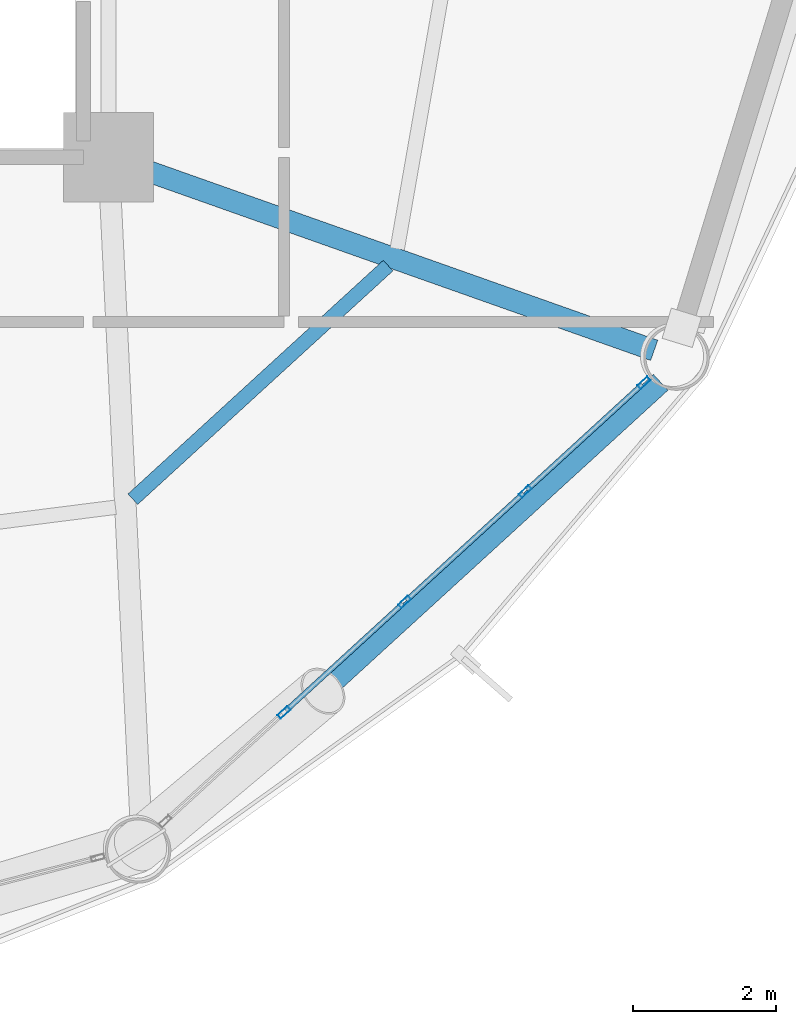
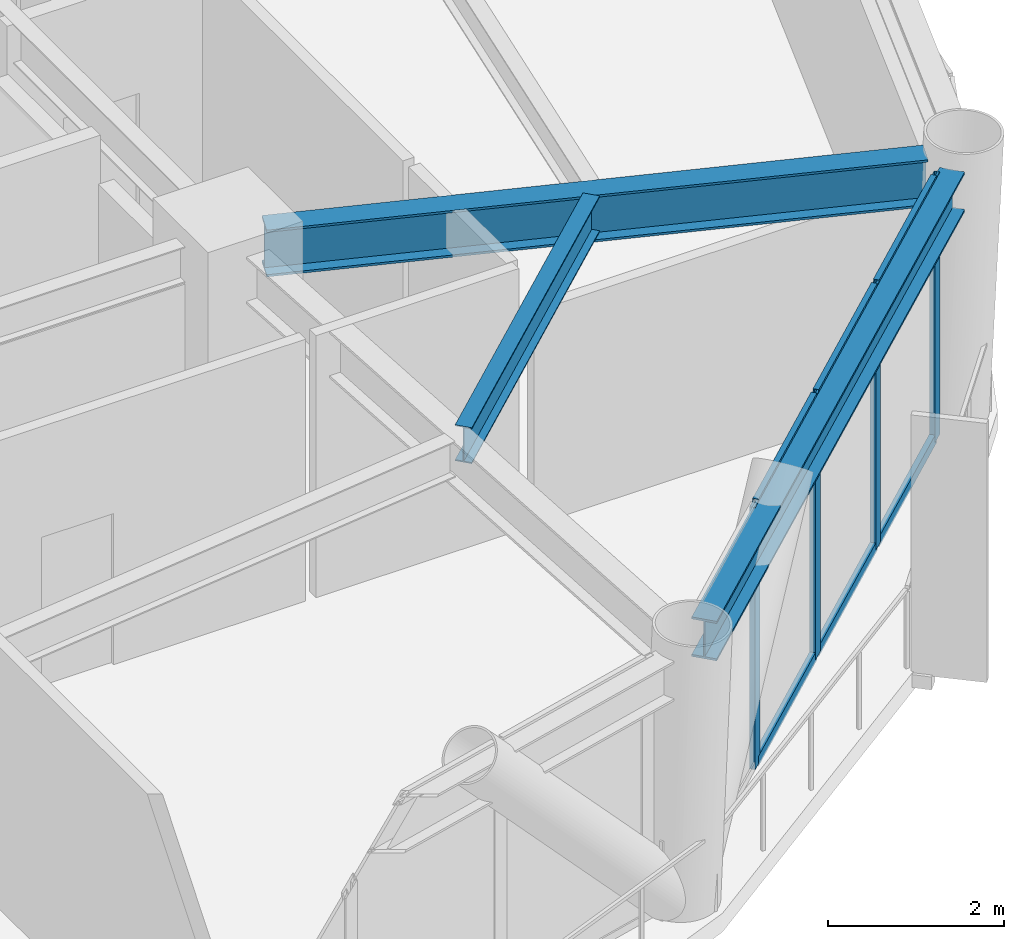
# One storey, part 14 of 25: 10 members, 3 beams, 1 element without a shape of its own.
"""IFC4 building model written with IfcOpenShell, lengths in metres."""

import ifcopenshell
import ifcopenshell.guid

model = None  # the IFC model being written
_history = None  # IfcOwnerHistory: only IFC2X3 demands one
_inside = {}  # id of a spatial element -> (the spatial element, [elements in it])
_under = {}  # id of a project, library or spatial element -> (it, [spatial elements below it])
_declared = {}  # id of a project -> (the project, [libraries it declares])
_typed = {}  # id of a type object -> (the type object, [elements of that type])
_made_of = {}  # id of a material, layer set ... -> (it, [elements and type objects made of it])


def new_model(schema):
    """Start an empty IFC model of exactly this schema.

    Asked for "IFC4X3", IfcOpenShell would pick the latest addendum, in which some entities
    have other attributes; the version numbers below select the first issue.
    IFC2X3 requires an IfcOwnerHistory on every rooted entity: one is made here for all.
    """
    global model, _history
    if schema == "IFC4X3":
        model = ifcopenshell.file(schema_version=(4, 3, 0, 0))
    else:
        model = ifcopenshell.file(schema=schema)
    _inside.clear()
    _under.clear()
    _declared.clear()
    _typed.clear()
    _made_of.clear()
    _history = None
    if model.schema == "IFC2X3":
        org = make("IfcOrganization", Name="unknown")
        user = make(
            "IfcPersonAndOrganization",
            ThePerson=make("IfcPerson", FamilyName="unknown"),
            TheOrganization=org,
        )
        app = make(
            "IfcApplication",
            ApplicationDeveloper=org,
            Version="unknown",
            ApplicationFullName="unknown",
            ApplicationIdentifier="unknown",
        )
        _history = make(
            "IfcOwnerHistory",
            OwningUser=user,
            OwningApplication=app,
            ChangeAction="ADDED",
            CreationDate=0,
        )
    return model


def make(cls, **values):
    """One entity of the class cls with the attributes given. An attribute that is None is left unset."""
    return model.create_entity(
        cls, **{name: value for name, value in values.items() if value is not None}
    )


def rooted(cls, **values):
    """An entity with a GlobalId (a new one), such as an element, a storey or a relation."""
    return make(cls, GlobalId=ifcopenshell.guid.new(), OwnerHistory=_history, **values)


def si_unit(unit_type, name, prefix=None):
    """IfcSIUnit, for example si_unit("LENGTHUNIT", "METRE", prefix="MILLI")."""
    return make("IfcSIUnit", UnitType=unit_type, Prefix=prefix, Name=name)


def assignment(units):
    """IfcUnitAssignment: the units of a project."""
    return None if units is None else make("IfcUnitAssignment", Units=units)


def point(xyz):
    """IfcCartesianPoint."""
    return None if xyz is None else make("IfcCartesianPoint", Coordinates=xyz)


def direction(xyz):
    """IfcDirection."""
    return None if xyz is None else make("IfcDirection", DirectionRatios=xyz)


def frame(location, z_axis=None, x_axis=None):
    """IfcAxis2Placement3D, a coordinate frame: its origin and axes. An axis left out is left unset."""
    return make(
        "IfcAxis2Placement3D",
        Location=point(location),
        Axis=direction(z_axis),
        RefDirection=direction(x_axis),
    )


def frame_2d(location, x_axis=None):
    """IfcAxis2Placement2D, a coordinate frame in the plane: its origin and x axis."""
    return make(
        "IfcAxis2Placement2D", Location=point(location), RefDirection=direction(x_axis)
    )


def origin():
    """The frame at (0, 0, 0) with its axes left unset."""
    return frame((0.0, 0.0, 0.0))


def origin_2d():
    """The frame at (0, 0) in the plane with its x axis left unset."""
    return frame_2d((0.0, 0.0))


def place(relative_to, where):
    """IfcLocalPlacement: puts the frame where relative to a parent placement (None: the world)."""
    return make(
        "IfcLocalPlacement", PlacementRelTo=relative_to, RelativePlacement=where
    )


def context(
    kind, dimensions, precision=None, world=None, true_north=None, identifier=None
):
    """IfcGeometricRepresentationContext, for example the 3D "Model" context."""
    return make(
        "IfcGeometricRepresentationContext",
        ContextIdentifier=identifier,
        ContextType=kind,
        CoordinateSpaceDimension=dimensions,
        Precision=precision,
        WorldCoordinateSystem=world,
        TrueNorth=true_north,
    )


def subcontext(parent, identifier, kind, view, scale=None):
    """IfcGeometricRepresentationSubContext, for example "Body" below "Model"."""
    return make(
        "IfcGeometricRepresentationSubContext",
        ContextIdentifier=identifier,
        ContextType=kind,
        ParentContext=parent,
        TargetScale=scale,
        TargetView=view,
    )


def project(units=None, contexts=None):
    """IfcProject with its units and contexts."""
    return rooted(
        "IfcProject",
        Name="project",
        RepresentationContexts=contexts,
        UnitsInContext=assignment(units),
    )


def spatial(cls, under=None, at=None, **own):
    """A site, building, storey or space (cls), placed at a placement, below another one or the project."""
    s = rooted(cls, ObjectPlacement=at, **own)
    if under is not None:
        _under.setdefault(under.id(), (under, []))[1].append(s)
    return s


def profile(cls, at=None, kind="AREA", **sizes):
    """A parametric profile (cls). Its sizes go by their IFC names, for example OverallWidth=200.0."""
    return make(cls, ProfileType=kind, Position=at, **sizes)


def hollow_rectangle(**sizes):
    """IfcRectangleHollowProfileDef."""
    return profile("IfcRectangleHollowProfileDef", **sizes)


def i_section(**sizes):
    """IfcIShapeProfileDef."""
    return profile("IfcIShapeProfileDef", **sizes)


def extrude(swept, where, along, depth):
    """IfcExtrudedAreaSolid: the profile swept, set in the frame where, extruded along a direction by depth."""
    return make(
        "IfcExtrudedAreaSolid",
        SweptArea=swept,
        Position=where,
        ExtrudedDirection=direction(along),
        Depth=depth,
    )


def shape(context_of_items, identifier, shape_type, items):
    """IfcShapeRepresentation: the items that make up one representation, for example the "Body"."""
    return make(
        "IfcShapeRepresentation",
        ContextOfItems=context_of_items,
        RepresentationIdentifier=identifier,
        RepresentationType=shape_type,
        Items=items,
    )


def material(Name=None, Category=None):
    """IfcMaterial."""
    return make("IfcMaterial", Name=Name, Category=Category)


def layer(
    of_material, thickness, ventilated=None, Name=None, Category=None, Priority=None
):
    """IfcMaterialLayer: one layer of a wall or slab, of a material (None: an air gap)."""
    return make(
        "IfcMaterialLayer",
        Material=of_material,
        LayerThickness=thickness,
        IsVentilated=ventilated,
        Name=Name,
        Category=Category,
        Priority=Priority,
    )


def layer_set(layers, Name=None):
    """IfcMaterialLayerSet."""
    return make("IfcMaterialLayerSet", MaterialLayers=layers, LayerSetName=Name)


def material_profile(
    of_material, cross_section, Name=None, Category=None, Priority=None
):
    """IfcMaterialProfile: a cross section and its material."""
    return make(
        "IfcMaterialProfile",
        Name=Name,
        Material=of_material,
        Profile=cross_section,
        Priority=Priority,
        Category=Category,
    )


def profile_set(profiles, Name=None, composite=None):
    """IfcMaterialProfileSet."""
    return make(
        "IfcMaterialProfileSet",
        Name=Name,
        MaterialProfiles=profiles,
        CompositeProfile=composite,
    )


def made_of(thing, what):
    """Note that an element or type object is made of a material, layer set ...; save() writes the relation."""
    if what is not None:
        _made_of.setdefault(what.id(), (what, []))[1].append(thing)
    return thing


def type_object(cls, material=None, **own):
    """A type object (cls), such as IfcWallType, which elements share."""
    return made_of(rooted(cls, **own), material)


def element(
    cls,
    number,
    at=None,
    inside=None,
    cuts=None,
    type_object=None,
    material=None,
    context=None,
    identifier="Body",
    shape_type=None,
    held_by="IfcProductDefinitionShape",
    body=None,
    shapes=None,
    **own,
):
    """One element of the class cls, such as IfcWall. Its Tag is "e" and its number.

    at: its placement. inside: the storey or other place that contains it. cuts: it is an
    opening in that element (IfcRelVoidsElement). A single representation is given by context,
    identifier, shape_type and body (its items); several are given by shapes. held_by: the class
    of the entity that holds the representations. save() writes the other relations.
    """
    e = rooted(cls, Tag="e%d" % number, ObjectPlacement=at, **own)
    if body is not None:
        shapes = [shape(context, identifier, shape_type, body)]
    if shapes is not None:
        e.Representation = make(held_by, Representations=shapes)
    if inside is not None:
        _inside.setdefault(inside.id(), (inside, []))[1].append(e)
    if cuts is not None:
        rooted(
            "IfcRelVoidsElement", RelatingBuildingElement=cuts, RelatedOpeningElement=e
        )
    if type_object is not None:
        _typed.setdefault(type_object.id(), (type_object, []))[1].append(e)
    return made_of(e, material)


def aggregate(whole, parts):
    """IfcRelAggregates: a whole, such as a stair, and the parts it consists of."""
    return rooted("IfcRelAggregates", RelatingObject=whole, RelatedObjects=parts)


def save(model, path):
    """Write the relations noted so far, then the file.

    IfcRelAggregates (storeys below a building ...), IfcRelContainedInSpatialStructure (elements
    in a storey), IfcRelDefinesByType, IfcRelAssociatesMaterial and IfcRelDeclares: one each for
    every whole, place, type object, material and project.
    """
    for whole, parts in _under.values():
        aggregate(whole, parts)
    for where, things in _inside.values():
        rooted(
            "IfcRelContainedInSpatialStructure",
            RelatedElements=things,
            RelatingStructure=where,
        )
    for kind, things in _typed.values():
        rooted("IfcRelDefinesByType", RelatedObjects=things, RelatingType=kind)
    for what, things in _made_of.values():
        rooted("IfcRelAssociatesMaterial", RelatedObjects=things, RelatingMaterial=what)
    for by, libraries in _declared.values():
        rooted("IfcRelDeclares", RelatingContext=by, RelatedDefinitions=libraries)
    model.write(path)


model = new_model("IFC4")

# Units and contexts
model_context = context("Model", 3, precision=1e-05, world=origin(), true_north=direction((0.0, 1.0)))
body_context = subcontext(model_context, "Body", "Model", "MODEL_VIEW")
ifc_project = project(units=[si_unit("LENGTHUNIT", "METRE"), si_unit("AREAUNIT", "SQUARE_METRE"), si_unit("VOLUMEUNIT", "CUBIC_METRE"), si_unit("PLANEANGLEUNIT", "RADIAN"), si_unit("MASSUNIT", "GRAM", prefix="KILO")], contexts=[model_context])

# Site, building, storey
site_placement = place(None, origin())
site = spatial("IfcSite", under=ifc_project, at=site_placement, CompositionType="ELEMENT")
building_placement = place(site_placement, origin())
building = spatial("IfcBuilding", under=site, at=building_placement, Name="Varnakorn Sky Granary", CompositionType="ELEMENT")
storey_placement = place(building_placement, frame((0.0, 0.0, 39.300048828125)))
storey = spatial("IfcBuildingStorey", under=building, at=storey_placement, Name="L09", CompositionType="ELEMENT", Elevation=39.300048828125)

# Beams
ifc_material_1 = material(Name="Steel S355JR", Category="steel")
ifc_material_profile_1 = material_profile(ifc_material_1, i_section(OverallWidth=0.300048828125, OverallDepth=0.64990234375, WebThickness=0.01611328125, FlangeThickness=0.031005859375, at=origin_2d()), Name="HE 650 B")
ifc_profile_set_1 = profile_set([ifc_material_profile_1], Name="Steel S355JR")
beam_type_1 = type_object("IfcBeamType", Name="BM-RAD-Z1", PredefinedType="BEAM", material=ifc_profile_set_1)
beam_1_placement = place(storey_placement, frame((8.745849609375, -6.739990234375, 3.31494140625), z_axis=(0.942710394333, -0.333612218626, 0.0), x_axis=(0.333612218626, 0.942710394333, 0.0)))
element("IfcBeam", 1, at=beam_1_placement, inside=storey, type_object=beam_type_1, Name="Radial Floor Girder RG12 L09", PredefinedType="BEAM", context=body_context, shape_type="SweptSolid", body=[
    extrude(i_section(OverallWidth=0.300048828125, OverallDepth=0.64990234375, WebThickness=0.01611328125, FlangeThickness=0.031005859375, at=origin_2d()), origin(), (0.0, 0.0, 1.0), 7.656982421875),
])
ifc_material_profile_2 = material_profile(ifc_material_1, i_section(OverallWidth=0.199951171875, OverallDepth=0.5, WebThickness=0.01025390625, FlangeThickness=0.01611328125, at=origin_2d()), Name="IPE 500")
ifc_profile_set_2 = profile_set([ifc_material_profile_2], Name="Steel S355JR")
beam_type_2 = type_object("IfcBeamType", Name="BM-SEC-Z1", PredefinedType="BEAM", material=ifc_profile_set_2)
beam_2_placement = place(storey_placement, frame((8.689453125, -11.37158203125, 3.389892578125), z_axis=(0.737735223226, 0.675090172059, 0.0), x_axis=(-0.675090172059, 0.737735223226, 0.0)))
element("IfcBeam", 2, at=beam_2_placement, inside=storey, type_object=beam_type_2, Name="Secondary Floor Chord Beam MSB11 L09", PredefinedType="BEAM", context=body_context, shape_type="SweptSolid", body=[
    extrude(i_section(OverallWidth=0.199951171875, OverallDepth=0.5, WebThickness=0.01025390625, FlangeThickness=0.01611328125, at=origin_2d()), origin(), (0.0, 0.0, 1.0), 4.82861328125),
])
ifc_material_profile_3 = material_profile(ifc_material_1, i_section(OverallWidth=0.300048828125, OverallDepth=0.550048828125, WebThickness=0.014892578125, FlangeThickness=0.029052734375, at=origin_2d()), Name="HE 550 B")
ifc_profile_set_3 = profile_set([ifc_material_profile_3], Name="Steel S355JR")
beam_type_3 = type_object("IfcBeamType", Name="BM-SPD-Z1", PredefinedType="SPANDREL", material=ifc_profile_set_3)
beam_3_placement = place(storey_placement, frame((9.149658203125, -16.0556640625, 3.364990234375), z_axis=(0.737908523278, 0.674900741794, 0.0), x_axis=(-0.674900741794, 0.737908523278, 0.0)))
element("IfcBeam", 3, at=beam_3_placement, inside=storey, type_object=beam_type_3, Name="Perimeter Spandrel Ring Beam RB11 L09", PredefinedType="SPANDREL", context=body_context, shape_type="SweptSolid", body=[
    extrude(i_section(OverallWidth=0.300048828125, OverallDepth=0.550048828125, WebThickness=0.014892578125, FlangeThickness=0.029052734375, at=origin_2d()), origin(), (0.0, 0.0, 1.0), 9.357666015625),
])

# Curtain wall, members
ifc_material_2 = material(Name="Anodised Bronze Aluminium Alloy 6063-T6", Category="aluminium")
ifc_layer = layer(ifc_material_2, 0.18994140625, Name="Anodised Bronze Aluminium Alloy 6063-T6")
ifc_layer_set = layer_set([ifc_layer], Name="Anodised Bronze Aluminium Alloy 6063-T6")
curtain_wall_type = type_object("IfcCurtainWallType", Name="CW-FRM-1", PredefinedType="USERDEFINED", material=ifc_layer_set)
curtain_wall_placement = place(storey_placement, origin())
curtain_wall = element("IfcCurtainWall", 4, at=curtain_wall_placement, inside=storey, type_object=curtain_wall_type, Name="Unitised Curtain Wall CW3 CW-L09-B11", ObjectType="CURTAIN WALL", PredefinedType="USERDEFINED")
ifc_material_profile_4 = material_profile(ifc_material_2, hollow_rectangle(XDim=0.070068359375, YDim=0.18505859375, WallThickness=0.00390625, at=origin_2d()), Name="ALU MULL 70x185")
ifc_profile_set_4 = profile_set([ifc_material_profile_4], Name="Anodised Bronze Aluminium Alloy 6063-T6")
member_type_1 = type_object("IfcMemberType", Name="CW-FRM-1-MULL", PredefinedType="MULLION", material=ifc_profile_set_4)
member_1_placement = place(storey_placement, frame((15.8212890625, -9.746826171875, 0.0), z_axis=(0.0, 0.0, 1.0), x_axis=(0.675388643465, -0.73746198565, 0.0)))
member_1 = element("IfcMember", 5, at=member_1_placement, type_object=member_type_1, Name="CW3 mullion 1", PredefinedType="MULLION", context=body_context, shape_type="SweptSolid", body=[
    extrude(hollow_rectangle(XDim=0.070068359375, YDim=0.18505859375, WallThickness=0.00390625, at=origin_2d()), origin(), (0.0, 0.0, 1.0), 3.639892578125),
])
member_2_placement = place(storey_placement, frame((14.16455078125, -11.26416015625, 0.0), z_axis=(0.0, 0.0, 1.0), x_axis=(0.675388643465, -0.73746198565, 0.0)))
member_2 = element("IfcMember", 6, at=member_2_placement, type_object=member_type_1, Name="CW3 mullion 2", PredefinedType="MULLION", context=body_context, shape_type="SweptSolid", body=[
    extrude(hollow_rectangle(XDim=0.070068359375, YDim=0.18505859375, WallThickness=0.00390625, at=origin_2d()), origin(), (0.0, 0.0, 1.0), 3.639892578125),
])
member_3_placement = place(storey_placement, frame((12.48193359375, -12.80517578125, 0.0), z_axis=(0.0, 0.0, 1.0), x_axis=(0.675388643465, -0.73746198565, 0.0)))
member_3 = element("IfcMember", 7, at=member_3_placement, type_object=member_type_1, Name="CW3 mullion 3", PredefinedType="MULLION", context=body_context, shape_type="SweptSolid", body=[
    extrude(hollow_rectangle(XDim=0.070068359375, YDim=0.18505859375, WallThickness=0.00390625, at=origin_2d()), origin(), (0.0, 0.0, 1.0), 3.639892578125),
])
member_4_placement = place(storey_placement, frame((10.79931640625, -14.345947265625, 0.0), z_axis=(0.0, 0.0, 1.0), x_axis=(0.675388643465, -0.73746198565, 0.0)))
member_4 = element("IfcMember", 8, at=member_4_placement, type_object=member_type_1, Name="CW3 mullion 4", PredefinedType="MULLION", context=body_context, shape_type="SweptSolid", body=[
    extrude(hollow_rectangle(XDim=0.070068359375, YDim=0.18505859375, WallThickness=0.00390625, at=origin_2d()), origin(), (0.0, 0.0, 1.0), 3.639892578125),
])
ifc_material_profile_5 = material_profile(ifc_material_2, hollow_rectangle(XDim=0.070068359375, YDim=0.139892578125, WallThickness=0.00341796875, at=origin_2d()), Name="ALU TRAN 70x140")
ifc_profile_set_5 = profile_set([ifc_material_profile_5], Name="Anodised Bronze Aluminium Alloy 6063-T6")
member_type_2 = type_object("IfcMemberType", Name="CW-FRM-1-TRAN", PredefinedType="USERDEFINED", material=ifc_profile_set_5)
member_5_placement = place(storey_placement, frame((15.79541015625, -9.7705078125, 0.034912109375), z_axis=(-0.737442766501, -0.6754096284, 0.0), x_axis=(0.6754096284, -0.737442766501, 0.0)))
member_5 = element("IfcMember", 9, at=member_5_placement, type_object=member_type_2, Name="CW3 transom 1.1", ObjectType="TRANSOM", PredefinedType="USERDEFINED", context=body_context, shape_type="SweptSolid", body=[
    extrude(hollow_rectangle(XDim=0.070068359375, YDim=0.139892578125, WallThickness=0.00341796875, at=origin_2d()), origin(), (0.0, 0.0, 1.0), 2.176513671875),
])
member_6_placement = place(storey_placement, frame((15.79541015625, -9.7705078125, 3.60498046875), z_axis=(-0.737442766501, -0.6754096284, 0.0), x_axis=(0.6754096284, -0.737442766501, 0.0)))
member_6 = element("IfcMember", 10, at=member_6_placement, type_object=member_type_2, Name="CW3 transom 1.2", ObjectType="TRANSOM", PredefinedType="USERDEFINED", context=body_context, shape_type="SweptSolid", body=[
    extrude(hollow_rectangle(XDim=0.070068359375, YDim=0.139892578125, WallThickness=0.00341796875, at=origin_2d()), origin(), (0.0, 0.0, 1.0), 2.176513671875),
])
member_7_placement = place(storey_placement, frame((14.138671875, -11.287841796875, 0.034912109375), z_axis=(-0.737447350023, -0.675404623869, 0.0), x_axis=(0.675404623869, -0.737447350023, 0.0)))
member_7 = element("IfcMember", 11, at=member_7_placement, type_object=member_type_2, Name="CW3 transom 2.1", ObjectType="TRANSOM", PredefinedType="USERDEFINED", context=body_context, shape_type="SweptSolid", body=[
    extrude(hollow_rectangle(XDim=0.070068359375, YDim=0.139892578125, WallThickness=0.00341796875, at=origin_2d()), origin(), (0.0, 0.0, 1.0), 2.21142578125),
])
member_8_placement = place(storey_placement, frame((14.138671875, -11.287841796875, 3.60498046875), z_axis=(-0.737447350023, -0.675404623869, 0.0), x_axis=(0.675404623869, -0.737447350023, 0.0)))
member_8 = element("IfcMember", 12, at=member_8_placement, type_object=member_type_2, Name="CW3 transom 2.2", ObjectType="TRANSOM", PredefinedType="USERDEFINED", context=body_context, shape_type="SweptSolid", body=[
    extrude(hollow_rectangle(XDim=0.070068359375, YDim=0.139892578125, WallThickness=0.00341796875, at=origin_2d()), origin(), (0.0, 0.0, 1.0), 2.21142578125),
])
member_9_placement = place(storey_placement, frame((12.4560546875, -12.828857421875, 0.034912109375), z_axis=(-0.737447350023, -0.675404623869, 0.0), x_axis=(0.675404623869, -0.737447350023, 0.0)))
member_9 = element("IfcMember", 13, at=member_9_placement, type_object=member_type_2, Name="CW3 transom 3.1", ObjectType="TRANSOM", PredefinedType="USERDEFINED", context=body_context, shape_type="SweptSolid", body=[
    extrude(hollow_rectangle(XDim=0.070068359375, YDim=0.139892578125, WallThickness=0.00341796875, at=origin_2d()), origin(), (0.0, 0.0, 1.0), 2.21142578125),
])
member_10_placement = place(storey_placement, frame((12.4560546875, -12.828857421875, 3.60498046875), z_axis=(-0.737447350023, -0.675404623869, 0.0), x_axis=(0.675404623869, -0.737447350023, 0.0)))
member_10 = element("IfcMember", 14, at=member_10_placement, type_object=member_type_2, Name="CW3 transom 3.2", ObjectType="TRANSOM", PredefinedType="USERDEFINED", context=body_context, shape_type="SweptSolid", body=[
    extrude(hollow_rectangle(XDim=0.070068359375, YDim=0.139892578125, WallThickness=0.00341796875, at=origin_2d()), origin(), (0.0, 0.0, 1.0), 2.21142578125),
])
aggregate(curtain_wall, [member_1, member_2, member_3, member_4, member_5, member_6, member_7, member_8, member_9, member_10])

save(model, "model.ifc")
